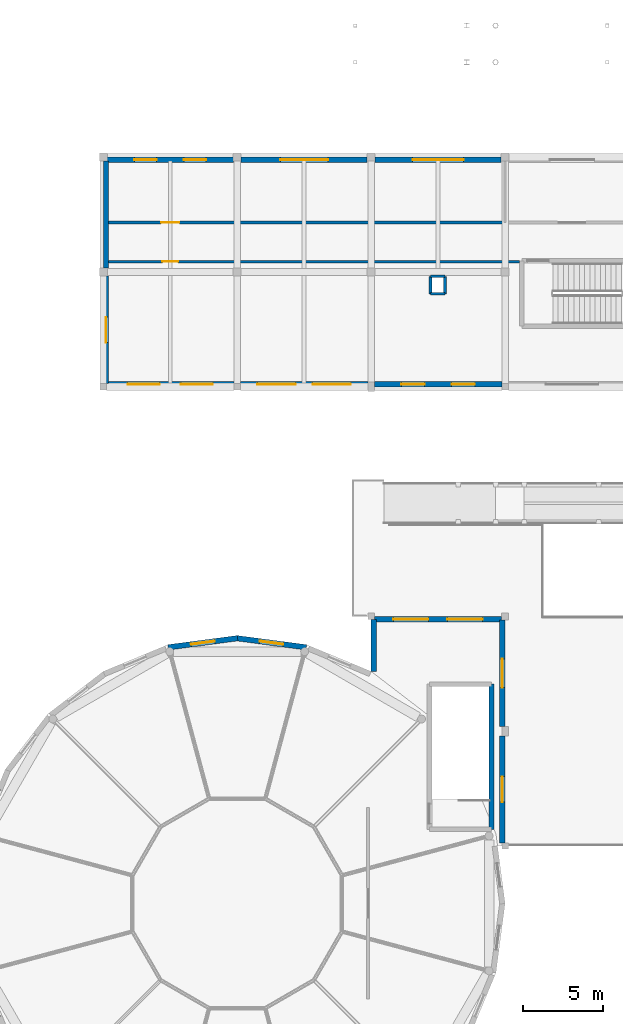
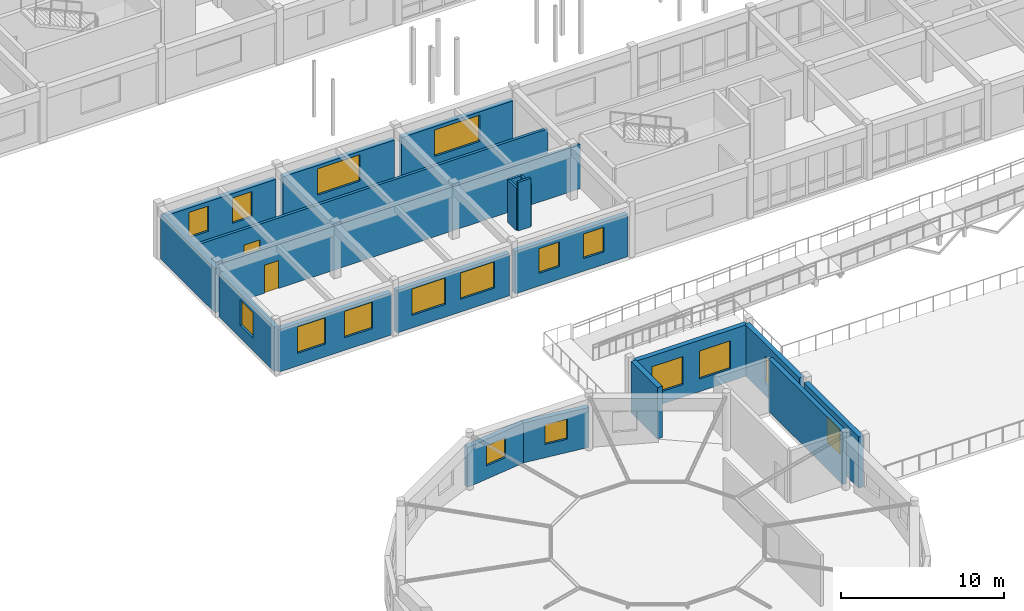
# One storey, part 68 of 90: 21 walls, 17 windows, 2 doors, 19 openings.
"""IFC4 building model written with IfcOpenShell, lengths in metres."""

from ifc_helpers import new_model, si_unit, direction, frame, frame_2d, origin, place, context, subcontext, project, spatial, rectangle, extrude, material, layer, layer_set, type_object, element, fill, save


model = new_model("IFC4")

# Units and contexts
model_context = context("Model", 3, precision=1e-05, world=origin(), true_north=direction((0.0, 1.0)))
body_context = subcontext(model_context, "Body", "Model", "MODEL_VIEW")
ifc_project = project(units=[si_unit("LENGTHUNIT", "METRE"), si_unit("AREAUNIT", "SQUARE_METRE"), si_unit("VOLUMEUNIT", "CUBIC_METRE"), si_unit("PLANEANGLEUNIT", "RADIAN"), si_unit("MASSUNIT", "GRAM", prefix="KILO")], contexts=[model_context])

# Site, building, storey
site_placement = place(None, origin())
site = spatial("IfcSite", under=ifc_project, at=site_placement, CompositionType="ELEMENT")
building_placement = place(site_placement, origin())
building = spatial("IfcBuilding", under=site, at=building_placement, Name="Malvenik Polytechnic", CompositionType="ELEMENT")
storey_placement = place(building_placement, frame((0.0, 0.0, 9.300048828125)))
storey = spatial("IfcBuildingStorey", under=building, at=storey_placement, Name="L02", CompositionType="ELEMENT", Elevation=9.300048828125)

# Wall
ifc_material_1 = material(Name="Concrete C35/45", Category="concrete")
ifc_layer_1 = layer(ifc_material_1, 0.300048828125)
ifc_layer_set_1 = layer_set([ifc_layer_1], Name="Concrete C35/45")
wall_type_1 = type_object("IfcWallType", Name="ARC-CW-S300", PredefinedType="SHEAR", material=ifc_layer_set_1)
wall_1_placement = place(storey_placement, frame((32.75, 31.75, 0.0), z_axis=(0.0, 0.0, 1.0), x_axis=(0.0, -1.0, 0.0)))
element("IfcWall", 1, at=wall_1_placement, inside=storey, type_object=wall_type_1, Name="Stair Core Shear Wall ST-09 L02 LEFT", PredefinedType="SHEAR", context=body_context, shape_type="SweptSolid", body=[
    extrude(rectangle(XDim=9.10009765625, YDim=0.300048828125, at=frame_2d((4.550048828125, 0.0))), origin(), (0.0, 0.0, 1.0), 3.93994140625),
])

# Wall, openings, windows
ifc_material_2 = material(Name="Concrete C30/37", Category="concrete")
ifc_layer_2 = layer(ifc_material_2, 0.340087890625)
ifc_layer_set_2 = layer_set([ifc_layer_2], Name="Concrete C30/37")
wall_type_2 = type_object("IfcWallType", Name="ARC-EW-340", PredefinedType="SOLIDWALL", material=ifc_layer_set_2)
wall_2_placement = place(storey_placement, frame((33.402099609375, 50.570068359375, 0.0), z_axis=(0.0, 0.0, 1.0), x_axis=(-1.0, 0.0, 0.0)))
wall_2 = element("IfcWall", 2, at=wall_2_placement, inside=storey, type_object=wall_type_2, Name="External Facade Wall EW-02 L02 #274", PredefinedType="SOLIDWALL", context=body_context, shape_type="SweptSolid", body=[
    extrude(rectangle(XDim=8.004150390625, YDim=0.340087890625, at=frame_2d((4.001953125, 0.0))), origin(), (0.0, 0.0, 1.0), 3.179931640625),
])
opening_1_placement = place(wall_2_placement, frame((1.701416015625, 0.0, 0.949951171875)))
opening_1 = element("IfcOpeningElement", 3, at=opening_1_placement, cuts=wall_2, Name="Opening W-31", PredefinedType="OPENING", context=body_context, shape_type="SweptSolid", body=[
    extrude(rectangle(XDim=1.449951171875, YDim=1.85009765625, at=frame_2d((0.72509765625, 0.925048828125))), frame((0.0, 0.18017578125, 0.0), z_axis=(0.0, -1.0, 0.0), x_axis=(1.0, 0.0, 0.0)), (0.0, 0.0, 1.0), 0.360107421875),
])
opening_2_placement = place(wall_2_placement, frame((4.8525390625, 0.0, 0.949951171875)))
opening_2 = element("IfcOpeningElement", 4, at=opening_2_placement, cuts=wall_2, Name="Opening W-31", PredefinedType="OPENING", context=body_context, shape_type="SweptSolid", body=[
    extrude(rectangle(XDim=1.449951171875, YDim=1.85009765625, at=frame_2d((0.72509765625, 0.925048828125))), frame((0.0, 0.18017578125, 0.0), z_axis=(0.0, -1.0, 0.0), x_axis=(1.0, 0.0, 0.0)), (0.0, 0.0, 1.0), 0.360107421875),
])
ifc_material_3 = material(Name="Thermally broken aluminium frame with low-E double glazing", Category="aluminium")
window_type_1 = type_object("IfcWindowType", Name="ARC-WIN-W-31", PartitioningType="SINGLE_PANEL", PredefinedType="WINDOW", material=ifc_material_3)
window_1_placement = place(opening_1_placement, origin())
window_1 = element("IfcWindow", 5, at=window_1_placement, inside=storey, type_object=window_type_1, Name="Punched Window W-31 L02 #239", OverallHeight=1.85009765625, OverallWidth=1.449951171875, PartitioningType="SINGLE_PANEL", PredefinedType="WINDOW", context=body_context, shape_type="SweptSolid", body=[
    extrude(rectangle(XDim=1.449951171875, YDim=1.85009765625, at=frame_2d((0.72509765625, 0.925048828125))), frame((0.0, 0.030029296875, 0.0), z_axis=(0.0, -1.0, 0.0), x_axis=(1.0, 0.0, 0.0)), (0.0, 0.0, 1.0), 0.06005859375),
])
fill(opening_1, window_1)
window_2_placement = place(opening_2_placement, origin())
window_2 = element("IfcWindow", 6, at=window_2_placement, inside=storey, type_object=window_type_1, Name="Punched Window W-31 L02 #240", OverallHeight=1.85009765625, OverallWidth=1.449951171875, PartitioningType="SINGLE_PANEL", PredefinedType="WINDOW", context=body_context, shape_type="SweptSolid", body=[
    extrude(rectangle(XDim=1.449951171875, YDim=1.85009765625, at=frame_2d((0.72509765625, 0.925048828125))), frame((0.0, 0.030029296875, 0.0), z_axis=(0.0, -1.0, 0.0), x_axis=(1.0, 0.0, 0.0)), (0.0, 0.0, 1.0), 0.06005859375),
])
fill(opening_2, window_2)

wall_3_placement = place(storey_placement, frame((25.001953125, 50.570068359375, 0.0), z_axis=(0.0, 0.0, 1.0), x_axis=(-1.0, 0.0, 0.0)))
wall_3 = element("IfcWall", 7, at=wall_3_placement, inside=storey, type_object=wall_type_2, Name="External Facade Wall EW-02 L02 #275", PredefinedType="SOLIDWALL", context=body_context, shape_type="SweptSolid", body=[
    extrude(rectangle(XDim=8.00390625, YDim=0.340087890625, at=frame_2d((4.001953125, 0.0))), origin(), (0.0, 0.0, 1.0), 3.179931640625),
])
opening_3_placement = place(wall_3_placement, frame((1.068115234375, 0.0, 0.949951171875)))
opening_3 = element("IfcOpeningElement", 8, at=opening_3_placement, cuts=wall_3, Name="Opening W-01", PredefinedType="OPENING", context=body_context, shape_type="SweptSolid", body=[
    extrude(rectangle(XDim=2.39990234375, YDim=1.97998046875, at=frame_2d((1.199951171875, 0.989990234375))), frame((0.0, 0.18017578125, 0.0), z_axis=(0.0, -1.0, 0.0), x_axis=(1.0, 0.0, 0.0)), (0.0, 0.0, 1.0), 0.360107421875),
])
opening_4_placement = place(wall_3_placement, frame((4.535888671875, 0.0, 0.949951171875)))
opening_4 = element("IfcOpeningElement", 9, at=opening_4_placement, cuts=wall_3, Name="Opening W-01", PredefinedType="OPENING", context=body_context, shape_type="SweptSolid", body=[
    extrude(rectangle(XDim=2.39990234375, YDim=1.97998046875, at=frame_2d((1.199951171875, 0.989990234375))), frame((0.0, 0.18017578125, 0.0), z_axis=(0.0, -1.0, 0.0), x_axis=(1.0, 0.0, 0.0)), (0.0, 0.0, 1.0), 0.360107421875),
])
window_type_2 = type_object("IfcWindowType", Name="ARC-WIN-W-01", PartitioningType="SINGLE_PANEL", PredefinedType="WINDOW", material=ifc_material_3)
window_3_placement = place(opening_3_placement, origin())
window_3 = element("IfcWindow", 10, at=window_3_placement, inside=storey, type_object=window_type_2, Name="Punched Window W-01 L02 #241", OverallHeight=1.97998046875, OverallWidth=2.39990234375, PartitioningType="SINGLE_PANEL", PredefinedType="WINDOW", context=body_context, shape_type="SweptSolid", body=[
    extrude(rectangle(XDim=2.39990234375, YDim=1.97998046875, at=frame_2d((1.199951171875, 0.989990234375))), frame((0.0, 0.030029296875, 0.0), z_axis=(0.0, -1.0, 0.0), x_axis=(1.0, 0.0, 0.0)), (0.0, 0.0, 1.0), 0.06005859375),
])
fill(opening_3, window_3)
window_4_placement = place(opening_4_placement, origin())
window_4 = element("IfcWindow", 11, at=window_4_placement, inside=storey, type_object=window_type_2, Name="Punched Window W-01 L02 #242", OverallHeight=1.97998046875, OverallWidth=2.39990234375, PartitioningType="SINGLE_PANEL", PredefinedType="WINDOW", context=body_context, shape_type="SweptSolid", body=[
    extrude(rectangle(XDim=2.39990234375, YDim=1.97998046875, at=frame_2d((1.199951171875, 0.989990234375))), frame((0.0, 0.030029296875, 0.0), z_axis=(0.0, -1.0, 0.0), x_axis=(1.0, 0.0, 0.0)), (0.0, 0.0, 1.0), 0.06005859375),
])
fill(opening_4, window_4)

wall_4_placement = place(storey_placement, frame((16.60205078125, 50.570068359375, 0.0), z_axis=(0.0, 0.0, 1.0), x_axis=(-1.0, 0.0, 0.0)))
wall_4 = element("IfcWall", 12, at=wall_4_placement, inside=storey, type_object=wall_type_2, Name="External Facade Wall EW-02 L02 #276", PredefinedType="SOLIDWALL", context=body_context, shape_type="SweptSolid", body=[
    extrude(rectangle(XDim=8.004150390625, YDim=0.340087890625, at=frame_2d((4.001953125, 0.0))), origin(), (0.0, 0.0, 1.0), 3.179931640625),
])
opening_5_placement = place(wall_4_placement, frame((1.334716796875, 0.0, 0.949951171875)))
opening_5 = element("IfcOpeningElement", 13, at=opening_5_placement, cuts=wall_4, Name="Opening W-03", PredefinedType="OPENING", context=body_context, shape_type="SweptSolid", body=[
    extrude(rectangle(XDim=2.0, YDim=1.97998046875, at=frame_2d((1.0, 0.989990234375))), frame((0.0, 0.18017578125, 0.0), z_axis=(0.0, -1.0, 0.0), x_axis=(1.0, 0.0, 0.0)), (0.0, 0.0, 1.0), 0.360107421875),
])
opening_6_placement = place(wall_4_placement, frame((4.66943359375, 0.0, 0.949951171875)))
opening_6 = element("IfcOpeningElement", 14, at=opening_6_placement, cuts=wall_4, Name="Opening W-03", PredefinedType="OPENING", context=body_context, shape_type="SweptSolid", body=[
    extrude(rectangle(XDim=2.0, YDim=1.97998046875, at=frame_2d((1.0, 0.989990234375))), frame((0.0, 0.18017578125, 0.0), z_axis=(0.0, -1.0, 0.0), x_axis=(1.0, 0.0, 0.0)), (0.0, 0.0, 1.0), 0.360107421875),
])
window_type_3 = type_object("IfcWindowType", Name="ARC-WIN-W-03", PartitioningType="SINGLE_PANEL", PredefinedType="WINDOW", material=ifc_material_3)
window_5_placement = place(opening_5_placement, origin())
window_5 = element("IfcWindow", 15, at=window_5_placement, inside=storey, type_object=window_type_3, Name="Punched Window W-03 L02 #243", OverallHeight=1.97998046875, OverallWidth=2.0, PartitioningType="SINGLE_PANEL", PredefinedType="WINDOW", context=body_context, shape_type="SweptSolid", body=[
    extrude(rectangle(XDim=2.0, YDim=1.97998046875, at=frame_2d((1.0, 0.989990234375))), frame((0.0, 0.030029296875, 0.0), z_axis=(0.0, -1.0, 0.0), x_axis=(1.0, 0.0, 0.0)), (0.0, 0.0, 1.0), 0.06005859375),
])
fill(opening_5, window_5)
window_6_placement = place(opening_6_placement, origin())
window_6 = element("IfcWindow", 16, at=window_6_placement, inside=storey, type_object=window_type_3, Name="Punched Window W-03 L02 #244", OverallHeight=1.97998046875, OverallWidth=2.0, PartitioningType="SINGLE_PANEL", PredefinedType="WINDOW", context=body_context, shape_type="SweptSolid", body=[
    extrude(rectangle(XDim=2.0, YDim=1.97998046875, at=frame_2d((1.0, 0.989990234375))), frame((0.0, 0.030029296875, 0.0), z_axis=(0.0, -1.0, 0.0), x_axis=(1.0, 0.0, 0.0)), (0.0, 0.0, 1.0), 0.06005859375),
])
fill(opening_6, window_6)

# Wall, opening, window
wall_5_placement = place(storey_placement, frame((8.570068359375, 50.597900390625, 0.0), z_axis=(0.0, 0.0, 1.0), x_axis=(0.0, 1.0, 0.0)))
wall_5 = element("IfcWall", 17, at=wall_5_placement, inside=storey, type_object=wall_type_2, Name="External Facade Wall EW-02 L02 #277", PredefinedType="SOLIDWALL", context=body_context, shape_type="SweptSolid", body=[
    extrude(rectangle(XDim=6.754150390625, YDim=0.340087890625, at=frame_2d((3.376953125, 0.0))), origin(), (0.0, 0.0, 1.0), 3.329833984375),
])
opening_7_placement = place(wall_5_placement, frame((2.576904296875, 0.0, 0.949951171875)))
opening_7 = element("IfcOpeningElement", 18, at=opening_7_placement, cuts=wall_5, Name="Opening W-05", PredefinedType="OPENING", context=body_context, shape_type="SweptSolid", body=[
    extrude(rectangle(XDim=1.60009765625, YDim=1.89990234375, at=frame_2d((0.800048828125, 0.949951171875))), frame((0.0, 0.18017578125, 0.0), z_axis=(0.0, -1.0, 0.0), x_axis=(1.0, 0.0, 0.0)), (0.0, 0.0, 1.0), 0.360107421875),
])
window_type_4 = type_object("IfcWindowType", Name="ARC-WIN-W-05", PartitioningType="SINGLE_PANEL", PredefinedType="WINDOW", material=ifc_material_3)
window_7_placement = place(opening_7_placement, origin())
window_7 = element("IfcWindow", 19, at=window_7_placement, inside=storey, type_object=window_type_4, Name="Punched Window W-05 L02 #245", OverallHeight=1.89990234375, OverallWidth=1.60009765625, PartitioningType="SINGLE_PANEL", PredefinedType="WINDOW", context=body_context, shape_type="SweptSolid", body=[
    extrude(rectangle(XDim=1.60009765625, YDim=1.89990234375, at=frame_2d((0.800048828125, 0.949951171875))), frame((0.0, 0.030029296875, 0.0), z_axis=(0.0, -1.0, 0.0), x_axis=(1.0, 0.0, 0.0)), (0.0, 0.0, 1.0), 0.06005859375),
])
fill(opening_7, window_7)

# Wall
wall_6_placement = place(storey_placement, frame((8.570068359375, 57.847900390625, 0.0), z_axis=(0.0, 0.0, 1.0), x_axis=(0.0, 1.0, 0.0)))
element("IfcWall", 20, at=wall_6_placement, inside=storey, type_object=wall_type_2, Name="External Facade Wall EW-02 L02 #278", PredefinedType="SOLIDWALL", context=body_context, shape_type="SweptSolid", body=[
    extrude(rectangle(XDim=6.7041015625, YDim=0.340087890625, at=frame_2d((3.35205078125, 0.0))), origin(), (0.0, 0.0, 1.0), 3.329833984375),
])

# Wall, openings, windows
wall_7_placement = place(storey_placement, frame((8.64794921875, 64.6298828125, 0.0), z_axis=(0.0, 0.0, 1.0), x_axis=(1.0, 0.0, 0.0)))
wall_7 = element("IfcWall", 21, at=wall_7_placement, inside=storey, type_object=wall_type_2, Name="External Facade Wall EW-02 L02 #279", PredefinedType="SOLIDWALL", context=body_context, shape_type="SweptSolid", body=[
    extrude(rectangle(XDim=7.904052734375, YDim=0.340087890625, at=frame_2d((3.9521484375, 0.0))), origin(), (0.0, 0.0, 1.0), 3.179931640625),
])
opening_8_placement = place(wall_7_placement, frame((1.701416015625, 0.0, 0.949951171875)))
opening_8 = element("IfcOpeningElement", 22, at=opening_8_placement, cuts=wall_7, Name="Opening W-06", PredefinedType="OPENING", context=body_context, shape_type="SweptSolid", body=[
    extrude(rectangle(XDim=1.39990234375, YDim=1.89990234375, at=frame_2d((0.699951171875, 0.949951171875))), frame((0.0, 0.18017578125, 0.0), z_axis=(0.0, -1.0, 0.0), x_axis=(1.0, 0.0, 0.0)), (0.0, 0.0, 1.0), 0.360107421875),
])
opening_9_placement = place(wall_7_placement, frame((4.802490234375, 0.0, 0.949951171875)))
opening_9 = element("IfcOpeningElement", 23, at=opening_9_placement, cuts=wall_7, Name="Opening W-06", PredefinedType="OPENING", context=body_context, shape_type="SweptSolid", body=[
    extrude(rectangle(XDim=1.39990234375, YDim=1.89990234375, at=frame_2d((0.699951171875, 0.949951171875))), frame((0.0, 0.18017578125, 0.0), z_axis=(0.0, -1.0, 0.0), x_axis=(1.0, 0.0, 0.0)), (0.0, 0.0, 1.0), 0.360107421875),
])
window_type_5 = type_object("IfcWindowType", Name="ARC-WIN-W-06", PartitioningType="SINGLE_PANEL", PredefinedType="WINDOW", material=ifc_material_3)
window_8_placement = place(opening_8_placement, origin())
window_8 = element("IfcWindow", 24, at=window_8_placement, inside=storey, type_object=window_type_5, Name="Punched Window W-06 L02 #246", OverallHeight=1.89990234375, OverallWidth=1.39990234375, PartitioningType="SINGLE_PANEL", PredefinedType="WINDOW", context=body_context, shape_type="SweptSolid", body=[
    extrude(rectangle(XDim=1.39990234375, YDim=1.89990234375, at=frame_2d((0.699951171875, 0.949951171875))), frame((0.0, 0.030029296875, 0.0), z_axis=(0.0, -1.0, 0.0), x_axis=(1.0, 0.0, 0.0)), (0.0, 0.0, 1.0), 0.06005859375),
])
fill(opening_8, window_8)
window_9_placement = place(opening_9_placement, origin())
window_9 = element("IfcWindow", 25, at=window_9_placement, inside=storey, type_object=window_type_5, Name="Punched Window W-06 L02 #247", OverallHeight=1.89990234375, OverallWidth=1.39990234375, PartitioningType="SINGLE_PANEL", PredefinedType="WINDOW", context=body_context, shape_type="SweptSolid", body=[
    extrude(rectangle(XDim=1.39990234375, YDim=1.89990234375, at=frame_2d((0.699951171875, 0.949951171875))), frame((0.0, 0.030029296875, 0.0), z_axis=(0.0, -1.0, 0.0), x_axis=(1.0, 0.0, 0.0)), (0.0, 0.0, 1.0), 0.06005859375),
])
fill(opening_9, window_9)

# Wall, opening, window
wall_8_placement = place(storey_placement, frame((17.048095703125, 64.6298828125, 0.0), z_axis=(0.0, 0.0, 1.0), x_axis=(1.0, 0.0, 0.0)))
wall_8 = element("IfcWall", 26, at=wall_8_placement, inside=storey, type_object=wall_type_2, Name="External Facade Wall EW-02 L02 #280", PredefinedType="SOLIDWALL", context=body_context, shape_type="SweptSolid", body=[
    extrude(rectangle(XDim=7.90380859375, YDim=0.340087890625, at=frame_2d((3.951904296875, 0.0))), origin(), (0.0, 0.0, 1.0), 3.179931640625),
])
opening_10_placement = place(wall_8_placement, frame((2.451904296875, 0.0, 0.949951171875)))
opening_10 = element("IfcOpeningElement", 27, at=opening_10_placement, cuts=wall_8, Name="Opening W-08", PredefinedType="OPENING", context=body_context, shape_type="SweptSolid", body=[
    extrude(rectangle(XDim=3.0, YDim=1.97998046875, at=frame_2d((1.5, 0.989990234375))), frame((0.0, 0.18017578125, 0.0), z_axis=(0.0, -1.0, 0.0), x_axis=(1.0, 0.0, 0.0)), (0.0, 0.0, 1.0), 0.360107421875),
])
window_type_6 = type_object("IfcWindowType", Name="ARC-WIN-W-08", PartitioningType="SINGLE_PANEL", PredefinedType="WINDOW", material=ifc_material_3)
window_10_placement = place(opening_10_placement, origin())
window_10 = element("IfcWindow", 28, at=window_10_placement, inside=storey, type_object=window_type_6, Name="Punched Window W-08 L02 #248", OverallHeight=1.97998046875, OverallWidth=3.0, PartitioningType="SINGLE_PANEL", PredefinedType="WINDOW", context=body_context, shape_type="SweptSolid", body=[
    extrude(rectangle(XDim=3.0, YDim=1.97998046875, at=frame_2d((1.5, 0.989990234375))), frame((0.0, 0.030029296875, 0.0), z_axis=(0.0, -1.0, 0.0), x_axis=(1.0, 0.0, 0.0)), (0.0, 0.0, 1.0), 0.06005859375),
])
fill(opening_10, window_10)

wall_9_placement = place(storey_placement, frame((25.447998046875, 64.6298828125, 0.0), z_axis=(0.0, 0.0, 1.0), x_axis=(1.0, 0.0, 0.0)))
wall_9 = element("IfcWall", 29, at=wall_9_placement, inside=storey, type_object=wall_type_2, Name="External Facade Wall EW-02 L02 #281", PredefinedType="SOLIDWALL", context=body_context, shape_type="SweptSolid", body=[
    extrude(rectangle(XDim=7.904052734375, YDim=0.340087890625, at=frame_2d((3.9521484375, 0.0))), origin(), (0.0, 0.0, 1.0), 3.179931640625),
])
opening_11_placement = place(wall_9_placement, frame((2.35205078125, 0.0, 0.949951171875)))
opening_11 = element("IfcOpeningElement", 30, at=opening_11_placement, cuts=wall_9, Name="Opening W-09", PredefinedType="OPENING", context=body_context, shape_type="SweptSolid", body=[
    extrude(rectangle(XDim=3.199951171875, YDim=1.97998046875, at=frame_2d((1.60009765625, 0.989990234375))), frame((0.0, 0.18017578125, 0.0), z_axis=(0.0, -1.0, 0.0), x_axis=(1.0, 0.0, 0.0)), (0.0, 0.0, 1.0), 0.360107421875),
])
window_type_7 = type_object("IfcWindowType", Name="ARC-WIN-W-09", PartitioningType="SINGLE_PANEL", PredefinedType="WINDOW", material=ifc_material_3)
window_11_placement = place(opening_11_placement, origin())
window_11 = element("IfcWindow", 31, at=window_11_placement, inside=storey, type_object=window_type_7, Name="Punched Window W-09 L02 #249", OverallHeight=1.97998046875, OverallWidth=3.199951171875, PartitioningType="SINGLE_PANEL", PredefinedType="WINDOW", context=body_context, shape_type="SweptSolid", body=[
    extrude(rectangle(XDim=3.199951171875, YDim=1.97998046875, at=frame_2d((1.60009765625, 0.989990234375))), frame((0.0, 0.030029296875, 0.0), z_axis=(0.0, -1.0, 0.0), x_axis=(1.0, 0.0, 0.0)), (0.0, 0.0, 1.0), 0.06005859375),
])
fill(opening_11, window_11)

wall_10_placement = place(storey_placement, frame((12.47412109375, 34.05908203125, 0.0), z_axis=(0.0, 0.0, 1.0), x_axis=(0.991442923275, 0.130540912694, 0.0)))
wall_10 = element("IfcWall", 32, at=wall_10_placement, inside=storey, type_object=wall_type_2, Name="External Facade Wall EW-02 L02 #368", PredefinedType="SOLIDWALL", context=body_context, shape_type="SweptSolid", body=[
    extrude(rectangle(XDim=4.3857421875, YDim=0.340087890625, at=frame_2d((2.19287109375, 0.0))), origin(), (0.0, 0.0, 1.0), 3.0),
])
opening_12_placement = place(wall_10_placement, frame((1.44287109375, 0.0, 1.0)))
opening_12 = element("IfcOpeningElement", 33, at=opening_12_placement, cuts=wall_10, Name="Opening W-OC2", PredefinedType="OPENING", context=body_context, shape_type="SweptSolid", body=[
    extrude(rectangle(XDim=1.5, YDim=1.5, at=frame_2d((0.75, 0.75))), frame((0.0, 0.18017578125, 0.0), z_axis=(0.0, -1.0, 0.0), x_axis=(1.0, 0.0, 0.0)), (0.0, 0.0, 1.0), 0.360107421875),
])
window_type_8 = type_object("IfcWindowType", Name="ARC-WIN-W-OC2", PartitioningType="SINGLE_PANEL", PredefinedType="WINDOW", material=ifc_material_3)
window_12_placement = place(opening_12_placement, origin())
window_12 = element("IfcWindow", 34, at=window_12_placement, inside=storey, type_object=window_type_8, Name="Rotunda Ocular Window W-OC2 L02 #367", OverallHeight=1.5, OverallWidth=1.5, PartitioningType="SINGLE_PANEL", PredefinedType="WINDOW", context=body_context, shape_type="SweptSolid", body=[
    extrude(rectangle(XDim=1.5, YDim=1.5, at=frame_2d((0.75, 0.75))), frame((0.0, 0.030029296875, 0.0), z_axis=(0.0, -1.0, 0.0), x_axis=(1.0, 0.0, 0.0)), (0.0, 0.0, 1.0), 0.06005859375),
])
fill(opening_12, window_12)

wall_11_placement = place(storey_placement, frame((16.77783203125, 34.631591796875, 0.0), z_axis=(0.0, 0.0, 1.0), x_axis=(0.991442923275, -0.130540912694, 0.0)))
wall_11 = element("IfcWall", 35, at=wall_11_placement, inside=storey, type_object=wall_type_2, Name="External Facade Wall EW-02 L02 #369", PredefinedType="SOLIDWALL", context=body_context, shape_type="SweptSolid", body=[
    extrude(rectangle(XDim=4.3857421875, YDim=0.340087890625, at=frame_2d((2.19287109375, 0.0))), origin(), (0.0, 0.0, 1.0), 3.0),
])
opening_13_placement = place(wall_11_placement, frame((1.44287109375, 0.0, 1.0)))
opening_13 = element("IfcOpeningElement", 36, at=opening_13_placement, cuts=wall_11, Name="Opening W-OC2", PredefinedType="OPENING", context=body_context, shape_type="SweptSolid", body=[
    extrude(rectangle(XDim=1.5, YDim=1.5, at=frame_2d((0.75, 0.75))), frame((0.0, 0.18017578125, 0.0), z_axis=(0.0, -1.0, 0.0), x_axis=(1.0, 0.0, 0.0)), (0.0, 0.0, 1.0), 0.360107421875),
])
window_13_placement = place(opening_13_placement, origin())
window_13 = element("IfcWindow", 37, at=window_13_placement, inside=storey, type_object=window_type_8, Name="Rotunda Ocular Window W-OC2 L02 #368", OverallHeight=1.5, OverallWidth=1.5, PartitioningType="SINGLE_PANEL", PredefinedType="WINDOW", context=body_context, shape_type="SweptSolid", body=[
    extrude(rectangle(XDim=1.5, YDim=1.5, at=frame_2d((0.75, 0.75))), frame((0.0, 0.030029296875, 0.0), z_axis=(0.0, -1.0, 0.0), x_axis=(1.0, 0.0, 0.0)), (0.0, 0.0, 1.0), 0.06005859375),
])
fill(opening_13, window_13)

# Wall
wall_12_placement = place(storey_placement, frame((25.3701171875, 32.54931640625, 0.0), z_axis=(0.0, 0.0, 1.0), x_axis=(0.0, 1.0, 0.0)))
element("IfcWall", 38, at=wall_12_placement, inside=storey, type_object=wall_type_2, Name="External Facade Wall EW-02 L02 #371", PredefinedType="SOLIDWALL", context=body_context, shape_type="SweptSolid", body=[
    extrude(rectangle(XDim=3.252685546875, YDim=0.340087890625, at=frame_2d((1.62646484375, 0.0))), origin(), (0.0, 0.0, 1.0), 3.85986328125),
])

# Wall, openings, windows
wall_13_placement = place(storey_placement, frame((25.39794921875, 35.830078125, 0.0), z_axis=(0.0, 0.0, 1.0), x_axis=(1.0, 0.0, 0.0)))
wall_13 = element("IfcWall", 39, at=wall_13_placement, inside=storey, type_object=wall_type_2, Name="External Facade Wall EW-02 L02 #372", PredefinedType="SOLIDWALL", context=body_context, shape_type="SweptSolid", body=[
    extrude(rectangle(XDim=7.97900390625, YDim=0.340087890625, at=frame_2d((3.989501953125, 0.0))), origin(), (0.0, 0.0, 1.0), 3.85986328125),
])
opening_14_placement = place(wall_13_placement, frame((1.193115234375, 0.0, 0.949951171875)))
opening_14 = element("IfcOpeningElement", 40, at=opening_14_placement, cuts=wall_13, Name="Opening W-02", PredefinedType="OPENING", context=body_context, shape_type="SweptSolid", body=[
    extrude(rectangle(XDim=2.199951171875, YDim=2.10009765625, at=frame_2d((1.10009765625, 1.050048828125))), frame((0.0, 0.18017578125, 0.0), z_axis=(0.0, -1.0, 0.0), x_axis=(1.0, 0.0, 0.0)), (0.0, 0.0, 1.0), 0.360107421875),
])
opening_15_placement = place(wall_13_placement, frame((4.5859375, 0.0, 0.949951171875)))
opening_15 = element("IfcOpeningElement", 41, at=opening_15_placement, cuts=wall_13, Name="Opening W-02", PredefinedType="OPENING", context=body_context, shape_type="SweptSolid", body=[
    extrude(rectangle(XDim=2.199951171875, YDim=2.10009765625, at=frame_2d((1.10009765625, 1.050048828125))), frame((0.0, 0.18017578125, 0.0), z_axis=(0.0, -1.0, 0.0), x_axis=(1.0, 0.0, 0.0)), (0.0, 0.0, 1.0), 0.360107421875),
])
window_type_9 = type_object("IfcWindowType", Name="ARC-WIN-W-02", PartitioningType="SINGLE_PANEL", PredefinedType="WINDOW", material=ifc_material_3)
window_14_placement = place(opening_14_placement, origin())
window_14 = element("IfcWindow", 42, at=window_14_placement, inside=storey, type_object=window_type_9, Name="Punched Window W-02 L02 #370", OverallHeight=2.10009765625, OverallWidth=2.199951171875, PartitioningType="SINGLE_PANEL", PredefinedType="WINDOW", context=body_context, shape_type="SweptSolid", body=[
    extrude(rectangle(XDim=2.199951171875, YDim=2.10009765625, at=frame_2d((1.10009765625, 1.050048828125))), frame((0.0, 0.030029296875, 0.0), z_axis=(0.0, -1.0, 0.0), x_axis=(1.0, 0.0, 0.0)), (0.0, 0.0, 1.0), 0.06005859375),
])
fill(opening_14, window_14)
window_15_placement = place(opening_15_placement, origin())
window_15 = element("IfcWindow", 43, at=window_15_placement, inside=storey, type_object=window_type_9, Name="Punched Window W-02 L02 #371", OverallHeight=2.10009765625, OverallWidth=2.199951171875, PartitioningType="SINGLE_PANEL", PredefinedType="WINDOW", context=body_context, shape_type="SweptSolid", body=[
    extrude(rectangle(XDim=2.199951171875, YDim=2.10009765625, at=frame_2d((1.10009765625, 1.050048828125))), frame((0.0, 0.030029296875, 0.0), z_axis=(0.0, -1.0, 0.0), x_axis=(1.0, 0.0, 0.0)), (0.0, 0.0, 1.0), 0.06005859375),
])
fill(opening_15, window_15)

# Wall, opening, window
wall_14_placement = place(storey_placement, frame((33.429931640625, 35.777099609375, 0.0), z_axis=(0.0, 0.0, 1.0), x_axis=(0.0, -1.0, 0.0)))
wall_14 = element("IfcWall", 44, at=wall_14_placement, inside=storey, type_object=wall_type_2, Name="External Facade Wall EW-02 L02 #373", PredefinedType="SOLIDWALL", context=body_context, shape_type="SweptSolid", body=[
    extrude(rectangle(XDim=6.67919921875, YDim=0.340087890625, at=frame_2d((3.339599609375, 0.0))), origin(), (0.0, 0.0, 1.0), 3.85986328125),
])
opening_16_placement = place(wall_14_placement, frame((2.439453125, 0.0, 0.949951171875)))
opening_16 = element("IfcOpeningElement", 45, at=opening_16_placement, cuts=wall_14, Name="Opening W-04", PredefinedType="OPENING", context=body_context, shape_type="SweptSolid", body=[
    extrude(rectangle(XDim=1.800048828125, YDim=2.0, at=frame_2d((0.89990234375, 1.0))), frame((0.0, 0.18017578125, 0.0), z_axis=(0.0, -1.0, 0.0), x_axis=(1.0, 0.0, 0.0)), (0.0, 0.0, 1.0), 0.360107421875),
])
window_type_10 = type_object("IfcWindowType", Name="ARC-WIN-W-04", PartitioningType="SINGLE_PANEL", PredefinedType="WINDOW", material=ifc_material_3)
window_16_placement = place(opening_16_placement, origin())
window_16 = element("IfcWindow", 46, at=window_16_placement, inside=storey, type_object=window_type_10, Name="Punched Window W-04 L02 #372", OverallHeight=2.0, OverallWidth=1.800048828125, PartitioningType="SINGLE_PANEL", PredefinedType="WINDOW", context=body_context, shape_type="SweptSolid", body=[
    extrude(rectangle(XDim=1.800048828125, YDim=2.0, at=frame_2d((0.89990234375, 1.0))), frame((0.0, 0.030029296875, 0.0), z_axis=(0.0, -1.0, 0.0), x_axis=(1.0, 0.0, 0.0)), (0.0, 0.0, 1.0), 0.06005859375),
])
fill(opening_16, window_16)

wall_15_placement = place(storey_placement, frame((33.429931640625, 28.501953125, 0.0), z_axis=(0.0, 0.0, 1.0), x_axis=(0.0, -1.0, 0.0)))
wall_15 = element("IfcWall", 47, at=wall_15_placement, inside=storey, type_object=wall_type_2, Name="External Facade Wall EW-02 L02 #374", PredefinedType="SOLIDWALL", context=body_context, shape_type="SweptSolid", body=[
    extrude(rectangle(XDim=6.703857421875, YDim=0.340087890625, at=frame_2d((3.35205078125, 0.0))), origin(), (0.0, 0.0, 1.0), 3.85986328125),
])
opening_17_placement = place(wall_15_placement, frame((2.552001953125, 0.0, 0.949951171875)))
opening_17 = element("IfcOpeningElement", 48, at=opening_17_placement, cuts=wall_15, Name="Opening W-05", PredefinedType="OPENING", context=body_context, shape_type="SweptSolid", body=[
    extrude(rectangle(XDim=1.60009765625, YDim=1.89990234375, at=frame_2d((0.800048828125, 0.949951171875))), frame((0.0, 0.18017578125, 0.0), z_axis=(0.0, -1.0, 0.0), x_axis=(1.0, 0.0, 0.0)), (0.0, 0.0, 1.0), 0.360107421875),
])
window_17_placement = place(opening_17_placement, origin())
window_17 = element("IfcWindow", 49, at=window_17_placement, inside=storey, type_object=window_type_4, Name="Punched Window W-05 L02 #373", OverallHeight=1.89990234375, OverallWidth=1.60009765625, PartitioningType="SINGLE_PANEL", PredefinedType="WINDOW", context=body_context, shape_type="SweptSolid", body=[
    extrude(rectangle(XDim=1.60009765625, YDim=1.89990234375, at=frame_2d((0.800048828125, 0.949951171875))), frame((0.0, 0.030029296875, 0.0), z_axis=(0.0, -1.0, 0.0), x_axis=(1.0, 0.0, 0.0)), (0.0, 0.0, 1.0), 0.06005859375),
])
fill(opening_17, window_17)

# Wall, opening, door
ifc_material_4 = material(Name="Calcium silicate fire-rated blockwork 200mm", Category="masonry")
ifc_layer_3 = layer(ifc_material_4, 0.199951171875)
ifc_layer_set_3 = layer_set([ifc_layer_3], Name="Calcium silicate fire-rated blockwork 200mm")
wall_type_3 = type_object("IfcWallType", Name="ARC-FW-200", PredefinedType="SOLIDWALL", material=ifc_layer_set_3)
wall_16_placement = place(storey_placement, frame((8.6201171875, 60.699951171875, 0.0), z_axis=(0.0, 0.0, 1.0), x_axis=(1.0, 0.0, 0.0)))
wall_16 = element("IfcWall", 50, at=wall_16_placement, inside=storey, type_object=wall_type_3, Name="Interior Partition FW-02 L02 #284", PredefinedType="SOLIDWALL", context=body_context, shape_type="SweptSolid", body=[
    extrude(rectangle(XDim=24.97998046875, YDim=0.199951171875, at=frame_2d((12.489990234375, 0.0))), origin(), (0.0, 0.0, 1.0), 3.324951171875),
])
opening_18_placement = place(wall_16_placement, frame((3.405029296875, 0.0, 0.0)))
opening_18 = element("IfcOpeningElement", 51, at=opening_18_placement, cuts=wall_16, Name="Opening FD-01", PredefinedType="OPENING", context=body_context, shape_type="SweptSolid", body=[
    extrude(rectangle(XDim=1.14990234375, YDim=2.14990234375, at=frame_2d((0.574951171875, 1.074951171875))), frame((0.0, 0.10986328125, 0.0), z_axis=(0.0, -1.0, 0.0), x_axis=(1.0, 0.0, 0.0)), (0.0, 0.0, 1.0), 0.219970703125),
])
ifc_material_5 = material(Name="Fire-rated timber acoustic corridor door", Category="wood")
door_type_1 = type_object("IfcDoorType", Name="ARC-IDR-FD-01", OperationType="NOTDEFINED", PredefinedType="DOOR", material=ifc_material_5)
door_1_placement = place(opening_18_placement, origin())
door_1 = element("IfcDoor", 52, at=door_1_placement, inside=storey, type_object=door_type_1, Name="Interior Door FD-01 L02 #120", OperationType="SINGLE_SWING_RIGHT", OverallHeight=2.14990234375, OverallWidth=1.14990234375, PredefinedType="DOOR", context=body_context, shape_type="SweptSolid", body=[
    extrude(rectangle(XDim=1.14990234375, YDim=2.14990234375, at=frame_2d((0.574951171875, 1.074951171875))), frame((0.0, 0.02490234375, 0.0), z_axis=(0.0, -1.0, 0.0), x_axis=(1.0, 0.0, 0.0)), (0.0, 0.0, 1.0), 0.050048828125),
])
fill(opening_18, door_1)

# Walls
ifc_material_6 = material(Name="Double-stud acoustic gypsum board partition 160mm", Category="gypsum")
ifc_layer_4 = layer(ifc_material_6, 0.159912109375)
ifc_layer_set_4 = layer_set([ifc_layer_4], Name="Double-stud acoustic gypsum board partition 160mm")
wall_type_4 = type_object("IfcWallType", Name="ARC-PW-160", PredefinedType="PARTITIONING", material=ifc_layer_set_4)
wall_17_placement = place(storey_placement, frame((28.919921875, 56.219970703125, 0.0), z_axis=(0.0, 0.0, 1.0), x_axis=(1.0, 0.0, 0.0)))
element("IfcWall", 53, at=wall_17_placement, inside=storey, type_object=wall_type_4, Name="Riser Shaft Enclosure L02 #34S", PredefinedType="PARTITIONING", context=body_context, shape_type="SweptSolid", body=[
    extrude(rectangle(XDim=0.91015625, YDim=0.159912109375, at=frame_2d((0.455078125, 0.0))), origin(), (0.0, 0.0, 1.0), 3.64990234375),
])
wall_18_placement = place(storey_placement, frame((29.830078125, 57.330078125, 0.0), z_axis=(0.0, 0.0, 1.0), x_axis=(-1.0, 0.0, 0.0)))
element("IfcWall", 54, at=wall_18_placement, inside=storey, type_object=wall_type_4, Name="Riser Shaft Enclosure L02 #34N", PredefinedType="PARTITIONING", context=body_context, shape_type="SweptSolid", body=[
    extrude(rectangle(XDim=0.91015625, YDim=0.159912109375, at=frame_2d((0.455078125, 0.0))), origin(), (0.0, 0.0, 1.0), 3.175048828125),
])
for number, where, z_axis, x_axis, name in (
    (55, (28.919921875, 57.330078125, 0.0), (0.0, 0.0, 1.0), (0.0, -1.0, 0.0), "Riser Shaft Enclosure L02 #34W"),
    (56, (29.830078125, 56.219970703125, 0.0), (0.0, 0.0, 1.0), (0.0, 1.0, 0.0), "Riser Shaft Enclosure L02 #34E"),
):
    element("IfcWall", number, at=place(storey_placement, frame(where, z_axis=z_axis, x_axis=x_axis)), inside=storey, type_object=wall_type_4, Name=name, PredefinedType="PARTITIONING", context=body_context, shape_type="SweptSolid", body=[
        extrude(rectangle(XDim=1.110107421875, YDim=0.159912109375, at=frame_2d((0.55517578125, 0.0))), origin(), (0.0, 0.0, 1.0), 3.175048828125),
    ])

# Wall, opening, door
wall_19_placement = place(storey_placement, frame((34.510009765625, 58.25, 0.0), z_axis=(0.0, 0.0, 1.0), x_axis=(-1.0, 0.0, 0.0)))
wall_19 = element("IfcWall", 57, at=wall_19_placement, inside=storey, type_object=wall_type_4, Name="Interior Partition PW-01I L02 #291", PredefinedType="PARTITIONING", context=body_context, shape_type="SweptSolid", body=[
    extrude(rectangle(XDim=25.889892578125, YDim=0.159912109375, at=frame_2d((12.94482421875, 0.0))), origin(), (0.0, 0.0, 1.0), 3.324951171875),
])
opening_19_placement = place(wall_19_placement, frame((21.409912109375, 0.0, 0.0)))
opening_19 = element("IfcOpeningElement", 58, at=opening_19_placement, cuts=wall_19, Name="Opening FD-07", PredefinedType="OPENING", context=body_context, shape_type="SweptSolid", body=[
    extrude(rectangle(XDim=1.0, YDim=2.10009765625, at=frame_2d((0.5, 1.050048828125))), frame((0.0, 0.08984375, 0.0), z_axis=(0.0, -1.0, 0.0), x_axis=(1.0, 0.0, 0.0)), (0.0, 0.0, 1.0), 0.179931640625),
])
ifc_material_7 = material(Name="Fire-rated washroom corridor door", Category="steel")
door_type_2 = type_object("IfcDoorType", Name="ARC-IDR-FD-07", OperationType="NOTDEFINED", PredefinedType="DOOR", material=ifc_material_7)
door_2_placement = place(opening_19_placement, origin())
door_2 = element("IfcDoor", 59, at=door_2_placement, inside=storey, type_object=door_type_2, Name="Interior Door FD-07 L02 #124", OperationType="SINGLE_SWING_LEFT", OverallHeight=2.10009765625, OverallWidth=1.0, PredefinedType="DOOR", context=body_context, shape_type="SweptSolid", body=[
    extrude(rectangle(XDim=1.0, YDim=2.10009765625, at=frame_2d((0.5, 1.050048828125))), frame((0.0, 0.02490234375, 0.0), z_axis=(0.0, -1.0, 0.0), x_axis=(1.0, 0.0, 0.0)), (0.0, 0.0, 1.0), 0.050048828125),
])
fill(opening_19, door_2)

save(model, "model.ifc")
